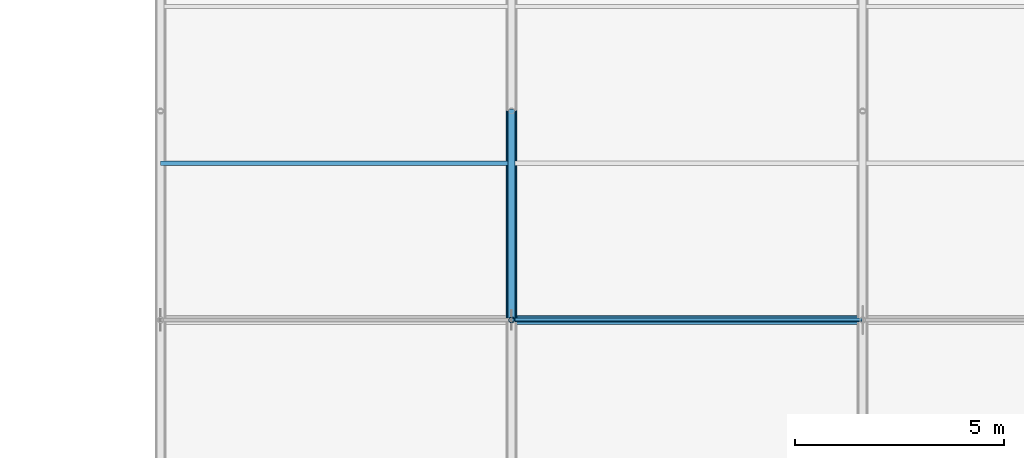
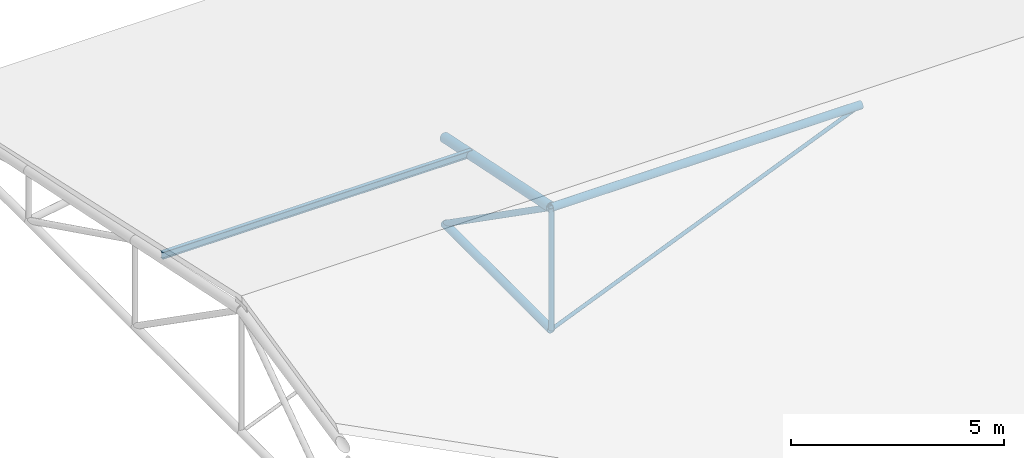
# One storey, part 14 of 194: 6 members, 1 beam.
"""IFC4 building model written with IfcOpenShell, lengths in metres."""

from ifc_helpers import new_model, si_unit, direction, frame, origin, origin_2d, place, context, subcontext, project, spatial, hollow_circle, i_section, extrude, material, material_profile, profile_set, type_object, element, save


model = new_model("IFC4")

# Units and contexts
model_context = context("Model", 3, precision=1e-05, world=origin(), true_north=direction((0.0, 1.0)))
body_context = subcontext(model_context, "Body", "Model", "MODEL_VIEW")
ifc_project = project(units=[si_unit("LENGTHUNIT", "METRE"), si_unit("AREAUNIT", "SQUARE_METRE"), si_unit("VOLUMEUNIT", "CUBIC_METRE"), si_unit("PLANEANGLEUNIT", "RADIAN"), si_unit("MASSUNIT", "GRAM", prefix="KILO")], contexts=[model_context])

# Site, building, storey
site_placement = place(None, origin())
site = spatial("IfcSite", under=ifc_project, at=site_placement, CompositionType="ELEMENT")
building_placement = place(site_placement, origin())
building = spatial("IfcBuilding", under=site, at=building_placement, Name="Kazenagashi Tramway Depot", CompositionType="ELEMENT")
storey_placement = place(building_placement, frame((0.0, 0.0, 23.7)))
storey = spatial("IfcBuildingStorey", under=building, at=storey_placement, Name="ROOF", CompositionType="ELEMENT", Elevation=23.7)

# Beam
ifc_material_1 = material(Name="Steel SN400B", Category="steel")
ifc_material_profile_1 = material_profile(ifc_material_1, i_section(OverallWidth=0.1, OverallDepth=0.2, WebThickness=0.0055, FlangeThickness=0.008, at=origin_2d()), Name="H-200x100x5.5x8")
ifc_profile_set_1 = profile_set([ifc_material_profile_1], Name="Steel SN400B")
beam_type = type_object("IfcBeamType", Name="PR-01", PredefinedType="USERDEFINED", material=ifc_profile_set_1)
beam_placement = place(storey_placement, frame((44.8, 118.75, -11.305), z_axis=(1.0, 0.0, 0.0), x_axis=(0.0, 1.0, 0.0)))
element("IfcBeam", 1, at=beam_placement, inside=storey, type_object=beam_type, Name="Beam PR-01 BM-2180", ObjectType="PURLIN", PredefinedType="USERDEFINED", context=body_context, shape_type="SweptSolid", body=[
    extrude(i_section(OverallWidth=0.1, OverallDepth=0.2, WebThickness=0.0055, FlangeThickness=0.008, at=origin_2d()), origin(), (0.0, 0.0, 1.0), 8.4),
])

# Members
ifc_material_2 = material(Name="Steel STK490", Category="steel")
ifc_material_profile_2 = material_profile(ifc_material_2, hollow_circle(Radius=0.1337, WallThickness=0.0093, at=origin_2d()), Name="CHS-267.4x9.3")
ifc_profile_set_2 = profile_set([ifc_material_profile_2], Name="Steel STK490")
member_type_1 = type_object("IfcMemberType", Name="TC-01", PredefinedType="CHORD", material=ifc_profile_set_2)
member_1_placement = place(storey_placement, frame((53.2, 115.0, -10.6), z_axis=(0.0, 0.979317999984, -0.202327098797), x_axis=(-1.0, 0.0, 0.0)))
element("IfcMember", 2, at=member_1_placement, inside=storey, type_object=member_type_1, Name="Tubular Space Frame TC-01 MEM-0102", PredefinedType="CHORD", context=body_context, shape_type="SweptSolid", body=[
    extrude(hollow_circle(Radius=0.1337, WallThickness=0.0093, at=origin_2d()), origin(), (0.0, 0.0, 1.0), 5.105594),
])
ifc_material_profile_3 = material_profile(ifc_material_2, hollow_circle(Radius=0.10815, WallThickness=0.0082, at=origin_2d()), Name="CHS-216.3x8.2")
ifc_profile_set_3 = profile_set([ifc_material_profile_3], Name="Steel STK490")
member_type_2 = type_object("IfcMemberType", Name="TC-02", PredefinedType="CHORD", material=ifc_profile_set_3)
member_2_placement = place(storey_placement, frame((53.2, 115.0, -14.1), z_axis=(0.0, 1.0, 0.0), x_axis=(-1.0, 0.0, 0.0)))
element("IfcMember", 3, at=member_2_placement, inside=storey, type_object=member_type_2, Name="Tubular Space Frame TC-02 MEM-0103", PredefinedType="CHORD", context=body_context, shape_type="SweptSolid", body=[
    extrude(hollow_circle(Radius=0.10815, WallThickness=0.0082, at=origin_2d()), origin(), (0.0, 0.0, 1.0), 5.0),
])
member_3_placement = place(storey_placement, frame((53.2, 115.0, -10.6), z_axis=(1.0, 0.0, 0.0), x_axis=(0.0, 1.0, 0.0)))
element("IfcMember", 4, at=member_3_placement, inside=storey, type_object=member_type_2, Name="Tubular Space Frame TC-02 MEM-0119", PredefinedType="CHORD", context=body_context, shape_type="SweptSolid", body=[
    extrude(hollow_circle(Radius=0.10815, WallThickness=0.0082, at=origin_2d()), origin(), (0.0, 0.0, 1.0), 8.4),
])
ifc_material_profile_4 = material_profile(ifc_material_2, hollow_circle(Radius=0.0826, WallThickness=0.0071, at=origin_2d()), Name="CHS-165.2x7.1")
ifc_profile_set_4 = profile_set([ifc_material_profile_4], Name="Steel STK490")
member_type_3 = type_object("IfcMemberType", Name="TS-01", PredefinedType="STRUT", material=ifc_profile_set_4)
member_4_placement = place(storey_placement, frame((53.2, 115.0, -10.6), z_axis=(0.0, 0.819231920519, -0.573462344363), x_axis=(-1.0, 0.0, 0.0)))
element("IfcMember", 5, at=member_4_placement, inside=storey, type_object=member_type_3, Name="Tubular Space Frame TS-01 MEM-0104", PredefinedType="STRUT", context=body_context, shape_type="SweptSolid", body=[
    extrude(hollow_circle(Radius=0.0826, WallThickness=0.0071, at=origin_2d()), origin(), (0.0, 0.0, 1.0), 6.103278),
])
ifc_material_profile_5 = material_profile(ifc_material_2, hollow_circle(Radius=0.0699, WallThickness=0.0066, at=origin_2d()), Name="CHS-139.8x6.6")
ifc_profile_set_5 = profile_set([ifc_material_profile_5], Name="Steel STK490")
member_type_4 = type_object("IfcMemberType", Name="TS-02", PredefinedType="STRUT", material=ifc_profile_set_5)
member_5_placement = place(storey_placement, frame((53.2, 115.0, -14.1), z_axis=(0.0, 0.0, 1.0), x_axis=(1.0, 0.0, 0.0)))
element("IfcMember", 6, at=member_5_placement, inside=storey, type_object=member_type_4, Name="Tubular Space Frame TS-02 MEM-0113", PredefinedType="STRUT", context=body_context, shape_type="SweptSolid", body=[
    extrude(hollow_circle(Radius=0.0699, WallThickness=0.0066, at=origin_2d()), origin(), (0.0, 0.0, 1.0), 3.5),
])
ifc_material_3 = material(Name="Steel STK400", Category="steel")
ifc_material_profile_6 = material_profile(ifc_material_3, hollow_circle(Radius=0.0508, WallThickness=0.0042, at=origin_2d()), Name="CHS-101.6x4.2")
ifc_profile_set_6 = profile_set([ifc_material_profile_6], Name="Steel STK400")
member_type_5 = type_object("IfcMemberType", Name="TS-06", PredefinedType="STRUT", material=ifc_profile_set_6)
member_6_placement = place(storey_placement, frame((53.2, 115.0, -14.1), z_axis=(0.923076923077, 0.0, 0.384615384615), x_axis=(0.0, 1.0, 0.0)))
element("IfcMember", 7, at=member_6_placement, inside=storey, type_object=member_type_5, Name="Tubular Space Frame TS-06 MEM-0120", PredefinedType="STRUT", context=body_context, shape_type="SweptSolid", body=[
    extrude(hollow_circle(Radius=0.0508, WallThickness=0.0042, at=origin_2d()), origin(), (0.0, 0.0, 1.0), 9.1),
])

save(model, "model.ifc")
